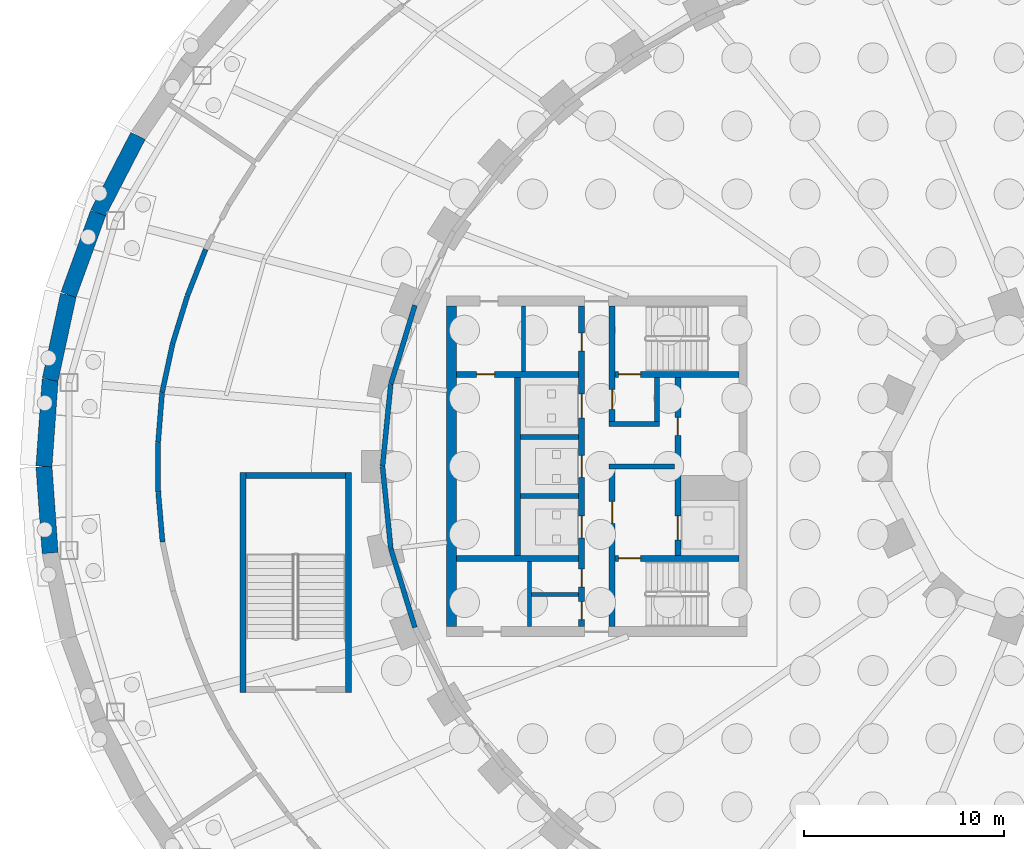
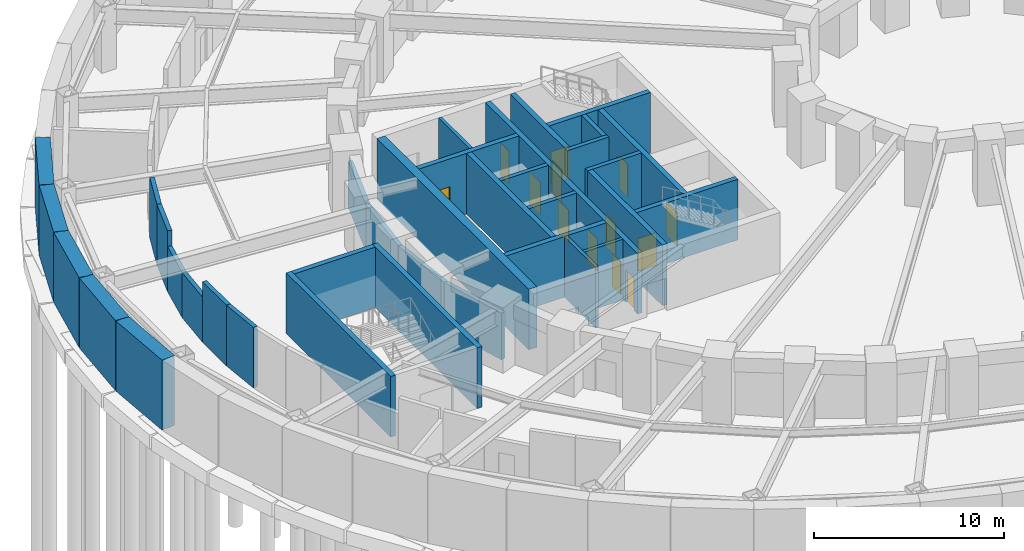
# One storey, part 11 of 19: 36 walls, 13 doors, 13 openings.
"""IFC4 building model written with IfcOpenShell, lengths in metres."""

from ifc_helpers import new_model, si_unit, direction, frame, frame_2d, origin, place, context, subcontext, project, spatial, rectangle, extrude, material, layer, layer_set, type_object, element, fill, save


model = new_model("IFC4")

# Units and contexts
model_context = context("Model", 3, precision=1e-05, world=origin(), true_north=direction((0.0, 1.0)))
body_context = subcontext(model_context, "Body", "Model", "MODEL_VIEW")
ifc_project = project(units=[si_unit("LENGTHUNIT", "METRE"), si_unit("AREAUNIT", "SQUARE_METRE"), si_unit("VOLUMEUNIT", "CUBIC_METRE"), si_unit("PLANEANGLEUNIT", "RADIAN"), si_unit("MASSUNIT", "GRAM", prefix="KILO")], contexts=[model_context])

# Site, building, storey
site_placement = place(None, origin())
site = spatial("IfcSite", under=ifc_project, at=site_placement, CompositionType="ELEMENT")
building_placement = place(site_placement, origin())
building = spatial("IfcBuilding", under=site, at=building_placement, Name="Noorbagh Ring Tower", CompositionType="ELEMENT")
storey_placement = place(building_placement, frame((0.0, 0.0, -8.39990234375)))
storey = spatial("IfcBuildingStorey", under=building, at=storey_placement, Name="B2", CompositionType="ELEMENT", Elevation=-8.39990234375)

# Walls
ifc_material_1 = material(Name="Gypsum board on steel studs", Category="steel")
ifc_layer_1 = layer(ifc_material_1, 0.199951171875)
ifc_layer_set_1 = layer_set([ifc_layer_1], Name="Gypsum board on steel studs")
wall_type_1 = type_object("IfcWallType", Name="CORE-PARTITION-200", PredefinedType="PARTITIONING", material=ifc_layer_set_1)
for number, where, z_axis, x_axis, name in (
    (1, (-27.64990234375, 4.75, 0.0), (0.0, 0.0, 1.0), (0.0, 1.0, 0.0), "Core partition W"),
    (2, (-27.35009765625, -8.0, 0.0), (0.0, 0.0, 1.0), (0.0, 1.0, 0.0), "Core partition W"),
):
    element("IfcWall", number, at=place(storey_placement, frame(where, z_axis=z_axis, x_axis=x_axis)), inside=storey, type_object=wall_type_1, Name=name, PredefinedType="PARTITIONING", context=body_context, shape_type="SweptSolid", body=[
        extrude(rectangle(XDim=3.25, YDim=0.199951171875, at=frame_2d((1.625, 0.0))), origin(), (0.0, 0.0, 1.0), 3.89990234375),
    ])
wall_1_placement = place(storey_placement, frame((-24.89990234375, -6.39990234375, 0.0), z_axis=(0.0, 0.0, 1.0), x_axis=(-1.0, 0.0, 0.0)))
element("IfcWall", 3, at=wall_1_placement, inside=storey, type_object=wall_type_1, Name="Core partition W", PredefinedType="PARTITIONING", context=body_context, shape_type="SweptSolid", body=[
    extrude(rectangle(XDim=2.35009765625, YDim=0.199951171875, at=frame_2d((1.175048828125, 0.0))), origin(), (0.0, 0.0, 1.0), 3.89990234375),
])
ifc_material_2 = material(Name="Concrete C70/85", Category="concrete")
ifc_layer_2 = layer(ifc_material_2, 0.25)
ifc_layer_set_2 = layer_set([ifc_layer_2], Name="Concrete C70/85")
wall_type_2 = type_object("IfcWallType", Name="CORE-WALL-250-C70-85-EI120", PredefinedType="SHEAR", material=ifc_layer_set_2)
for number, where, z_axis, x_axis, name in (
    (4, (-24.89990234375, -1.47509765625, 0.0), (0.0, 0.0, 1.0), (-1.0, 0.0, 0.0), "Core wall W"),
    (5, (-24.89990234375, 1.47509765625, 0.0), (0.0, 0.0, 1.0), (-1.0, 0.0, 0.0), "Core wall W"),
):
    element("IfcWall", number, at=place(storey_placement, frame(where, z_axis=z_axis, x_axis=x_axis)), inside=storey, type_object=wall_type_2, Name=name, PredefinedType="SHEAR", context=body_context, shape_type="SweptSolid", body=[
        extrude(rectangle(XDim=2.900146484375, YDim=0.25, at=frame_2d((1.4501953125, 0.0))), origin(), (0.0, 0.0, 1.0), 3.89990234375),
    ])
ifc_material_3 = material(Name="Concrete C70/85", Category="concrete")
ifc_layer_3 = layer(ifc_material_3, 0.25)
ifc_layer_set_3 = layer_set([ifc_layer_3], Name="Concrete C70/85")
wall_type_3 = type_object("IfcWallType", Name="CORE-WALL-250-C70-85-EI240", PredefinedType="SHEAR", material=ifc_layer_set_3)
wall_2_placement = place(storey_placement, frame((-20.10009765625, 0.0, 0.0), z_axis=(0.0, 0.0, 1.0), x_axis=(-1.0, 0.0, 0.0)))
element("IfcWall", 6, at=wall_2_placement, inside=storey, type_object=wall_type_3, Name="Core wall W", PredefinedType="SHEAR", context=body_context, shape_type="SweptSolid", body=[
    extrude(rectangle(XDim=3.27978515625, YDim=0.25, at=frame_2d((1.639892578125, 0.0))), origin(), (0.0, 0.0, 1.0), 3.89990234375),
])
wall_3_placement = place(storey_placement, frame((-20.85009765625, 2.125, 0.0), z_axis=(0.0, 0.0, 1.0), x_axis=(-1.0, 0.0, 0.0)))
element("IfcWall", 7, at=wall_3_placement, inside=storey, type_object=wall_type_3, Name="Core wall W", PredefinedType="SHEAR", context=body_context, shape_type="SweptSolid", body=[
    extrude(rectangle(XDim=2.52978515625, YDim=0.25, at=frame_2d((1.264892578125, 0.0))), origin(), (0.0, 0.0, 1.0), 3.89990234375),
])
wall_4_placement = place(storey_placement, frame((-20.97509765625, 2.25, 0.0), z_axis=(0.0, 0.0, 1.0), x_axis=(0.0, 1.0, 0.0)))
element("IfcWall", 8, at=wall_4_placement, inside=storey, type_object=wall_type_3, Name="Core wall W", PredefinedType="SHEAR", context=body_context, shape_type="SweptSolid", body=[
    extrude(rectangle(XDim=2.199951171875, YDim=0.25, at=frame_2d((1.10009765625, 0.0))), origin(), (0.0, 0.0, 1.0), 3.89990234375),
])
ifc_material_4 = material(Name="Concrete C70/85", Category="concrete")
ifc_layer_4 = layer(ifc_material_4, 0.300048828125)
ifc_layer_set_4 = layer_set([ifc_layer_4], Name="Concrete C70/85")
wall_type_4 = type_object("IfcWallType", Name="CORE-WALL-300-C70-85-EI120", PredefinedType="SHEAR", material=ifc_layer_set_4)
wall_5_placement = place(storey_placement, frame((-27.949951171875, -4.449951171875, 0.0), z_axis=(0.0, 0.0, 1.0), x_axis=(0.0, 1.0, 0.0)))
element("IfcWall", 9, at=wall_5_placement, inside=storey, type_object=wall_type_4, Name="Core wall W", PredefinedType="SHEAR", context=body_context, shape_type="SweptSolid", body=[
    extrude(rectangle(XDim=8.89990234375, YDim=0.300048828125, at=frame_2d((4.449951171875, 0.0))), origin(), (0.0, 0.0, 1.0), 3.89990234375),
])

# Wall, openings, doors
wall_6_placement = place(storey_placement, frame((-19.949951171875, -4.449951171875, 0.0), z_axis=(0.0, 0.0, 1.0), x_axis=(0.0, 1.0, 0.0)))
wall_6 = element("IfcWall", 10, at=wall_6_placement, inside=storey, type_object=wall_type_4, Name="Core wall W", PredefinedType="SHEAR", context=body_context, shape_type="SweptSolid", body=[
    extrude(rectangle(XDim=8.89990234375, YDim=0.300048828125, at=frame_2d((4.449951171875, 0.0))), origin(), (0.0, 0.0, 1.0), 3.89990234375),
])
opening_1_placement = place(wall_6_placement, frame((0.77490234375, 0.0, 0.0)))
opening_1 = element("IfcOpeningElement", 11, at=opening_1_placement, cuts=wall_6, Name="Opening B2-CW01", PredefinedType="OPENING", context=body_context, shape_type="SweptSolid", body=[
    extrude(rectangle(XDim=1.199951171875, YDim=2.10009765625, at=frame_2d((0.60009765625, 1.050048828125))), frame((0.0, 0.16015625, 0.0), z_axis=(0.0, -1.0, 0.0), x_axis=(1.0, 0.0, 0.0)), (0.0, 0.0, 1.0), 0.320068359375),
])
opening_2_placement = place(wall_6_placement, frame((6.0, 0.0, 0.0)))
opening_2 = element("IfcOpeningElement", 12, at=opening_2_placement, cuts=wall_6, Name="Opening B2-CW11", PredefinedType="OPENING", context=body_context, shape_type="SweptSolid", body=[
    extrude(rectangle(XDim=0.89990234375, YDim=2.10009765625, at=frame_2d((0.449951171875, 1.050048828125))), frame((0.0, 0.16015625, 0.0), z_axis=(0.0, -1.0, 0.0), x_axis=(1.0, 0.0, 0.0)), (0.0, 0.0, 1.0), 0.320068359375),
])
ifc_material_5 = material(Name="Steel door leaf", Category="steel")
door_type_1 = type_object("IfcDoorType", Name="CORE-DOOR-DROOM", OperationType="SINGLE_SWING_LEFT", PredefinedType="DOOR", material=ifc_material_5)
door_1_placement = place(opening_2_placement, origin())
door_1 = element("IfcDoor", 13, at=door_1_placement, inside=storey, type_object=door_type_1, Name="Core room door B2-CW11", OperationType="SINGLE_SWING_LEFT", OverallHeight=2.10009765625, OverallWidth=0.89990234375, PredefinedType="DOOR", context=body_context, shape_type="SweptSolid", body=[
    extrude(rectangle(XDim=0.89990234375, YDim=2.10009765625, at=frame_2d((0.449951171875, 1.050048828125))), frame((0.0, 0.02490234375, 0.0), z_axis=(0.0, -1.0, 0.0), x_axis=(1.0, 0.0, 0.0)), (0.0, 0.0, 1.0), 0.050048828125),
])
fill(opening_2, door_1)
ifc_material_6 = material(Name="Steel door leaf", Category="steel")
door_type_2 = type_object("IfcDoorType", Name="CORE-DOOR-LDW", OperationType="DOUBLE_DOOR_SLIDING", PredefinedType="DOOR", material=ifc_material_6)
door_2_placement = place(opening_1_placement, origin())
door_2 = element("IfcDoor", 14, at=door_2_placement, inside=storey, type_object=door_type_2, Name="Landing door FF1 B2-CW01", OperationType="DOUBLE_DOOR_SLIDING", OverallHeight=2.10009765625, OverallWidth=1.199951171875, PredefinedType="DOOR", context=body_context, shape_type="SweptSolid", body=[
    extrude(rectangle(XDim=1.199951171875, YDim=2.10009765625, at=frame_2d((0.60009765625, 1.050048828125))), frame((0.0, 0.02490234375, 0.0), z_axis=(0.0, -1.0, 0.0), x_axis=(1.0, 0.0, 0.0)), (0.0, 0.0, 1.0), 0.050048828125),
])
fill(opening_1, door_2)

wall_7_placement = place(storey_placement, frame((-24.75, -8.0, 0.0), z_axis=(0.0, 0.0, 1.0), x_axis=(0.0, 1.0, 0.0)))
wall_7 = element("IfcWall", 15, at=wall_7_placement, inside=storey, type_object=wall_type_4, Name="Core wall W", PredefinedType="SHEAR", context=body_context, shape_type="SweptSolid", body=[
    extrude(rectangle(XDim=16.0, YDim=0.300048828125, at=frame_2d((8.0, 0.0))), origin(), (0.0, 0.0, 1.0), 3.89990234375),
])
opening_3_placement = place(wall_7_placement, frame((4.425048828125, 0.0, 0.0)))
opening_3 = element("IfcOpeningElement", 16, at=opening_3_placement, cuts=wall_7, Name="Opening B2-CW02", PredefinedType="OPENING", context=body_context, shape_type="SweptSolid", body=[
    extrude(rectangle(XDim=1.10009765625, YDim=2.10009765625, at=frame_2d((0.550048828125, 1.050048828125))), frame((0.0, 0.16015625, 0.0), z_axis=(0.0, -1.0, 0.0), x_axis=(1.0, 0.0, 0.0)), (0.0, 0.0, 1.0), 0.320068359375),
])
opening_4_placement = place(wall_7_placement, frame((7.449951171875, 0.0, 0.0)))
opening_4 = element("IfcOpeningElement", 17, at=opening_4_placement, cuts=wall_7, Name="Opening B2-CW03", PredefinedType="OPENING", context=body_context, shape_type="SweptSolid", body=[
    extrude(rectangle(XDim=1.10009765625, YDim=2.10009765625, at=frame_2d((0.550048828125, 1.050048828125))), frame((0.0, 0.16015625, 0.0), z_axis=(0.0, -1.0, 0.0), x_axis=(1.0, 0.0, 0.0)), (0.0, 0.0, 1.0), 0.320068359375),
])
opening_5_placement = place(wall_7_placement, frame((10.425048828125, 0.0, 0.0)))
opening_5 = element("IfcOpeningElement", 18, at=opening_5_placement, cuts=wall_7, Name="Opening B2-CW04", PredefinedType="OPENING", context=body_context, shape_type="SweptSolid", body=[
    extrude(rectangle(XDim=1.199951171875, YDim=2.10009765625, at=frame_2d((0.60009765625, 1.050048828125))), frame((0.0, 0.16015625, 0.0), z_axis=(0.0, -1.0, 0.0), x_axis=(1.0, 0.0, 0.0)), (0.0, 0.0, 1.0), 0.320068359375),
])
opening_6_placement = place(wall_7_placement, frame((13.75, 0.0, 0.0)))
opening_6 = element("IfcOpeningElement", 19, at=opening_6_placement, cuts=wall_7, Name="Opening B2-CW12", PredefinedType="OPENING", context=body_context, shape_type="SweptSolid", body=[
    extrude(rectangle(XDim=0.89990234375, YDim=2.10009765625, at=frame_2d((0.449951171875, 1.050048828125))), frame((0.0, 0.16015625, 0.0), z_axis=(0.0, -1.0, 0.0), x_axis=(1.0, 0.0, 0.0)), (0.0, 0.0, 1.0), 0.320068359375),
])
opening_7_placement = place(wall_7_placement, frame((1.97509765625, 0.0, 0.0)))
opening_7 = element("IfcOpeningElement", 20, at=opening_7_placement, cuts=wall_7, Name="Opening B2-CW14", PredefinedType="OPENING", context=body_context, shape_type="SweptSolid", body=[
    extrude(rectangle(XDim=0.89990234375, YDim=2.10009765625, at=frame_2d((0.449951171875, 1.050048828125))), frame((0.0, 0.16015625, 0.0), z_axis=(0.0, -1.0, 0.0), x_axis=(1.0, 0.0, 0.0)), (0.0, 0.0, 1.0), 0.320068359375),
])
opening_8_placement = place(wall_7_placement, frame((0.35009765625, 0.0, 0.0)))
opening_8 = element("IfcOpeningElement", 21, at=opening_8_placement, cuts=wall_7, Name="Opening B2-CW15", PredefinedType="OPENING", context=body_context, shape_type="SweptSolid", body=[
    extrude(rectangle(XDim=0.89990234375, YDim=2.10009765625, at=frame_2d((0.449951171875, 1.050048828125))), frame((0.0, 0.16015625, 0.0), z_axis=(0.0, -1.0, 0.0), x_axis=(1.0, 0.0, 0.0)), (0.0, 0.0, 1.0), 0.320068359375),
])
door_3_placement = place(opening_6_placement, origin())
door_3 = element("IfcDoor", 22, at=door_3_placement, inside=storey, type_object=door_type_1, Name="Core room door B2-CW12", OperationType="SINGLE_SWING_RIGHT", OverallHeight=2.10009765625, OverallWidth=0.89990234375, PredefinedType="DOOR", context=body_context, shape_type="SweptSolid", body=[
    extrude(rectangle(XDim=0.89990234375, YDim=2.10009765625, at=frame_2d((0.449951171875, 1.050048828125))), frame((0.0, 0.02490234375, 0.0), z_axis=(0.0, -1.0, 0.0), x_axis=(1.0, 0.0, 0.0)), (0.0, 0.0, 1.0), 0.050048828125),
])
fill(opening_6, door_3)
door_4_placement = place(opening_7_placement, origin())
door_4 = element("IfcDoor", 23, at=door_4_placement, inside=storey, type_object=door_type_1, Name="Core room door B2-CW14", OperationType="SINGLE_SWING_RIGHT", OverallHeight=2.10009765625, OverallWidth=0.89990234375, PredefinedType="DOOR", context=body_context, shape_type="SweptSolid", body=[
    extrude(rectangle(XDim=0.89990234375, YDim=2.10009765625, at=frame_2d((0.449951171875, 1.050048828125))), frame((0.0, 0.02490234375, 0.0), z_axis=(0.0, -1.0, 0.0), x_axis=(1.0, 0.0, 0.0)), (0.0, 0.0, 1.0), 0.050048828125),
])
fill(opening_7, door_4)
door_5_placement = place(opening_8_placement, origin())
door_5 = element("IfcDoor", 24, at=door_5_placement, inside=storey, type_object=door_type_1, Name="Core room door B2-CW15", OperationType="SINGLE_SWING_LEFT", OverallHeight=2.10009765625, OverallWidth=0.89990234375, PredefinedType="DOOR", context=body_context, shape_type="SweptSolid", body=[
    extrude(rectangle(XDim=0.89990234375, YDim=2.10009765625, at=frame_2d((0.449951171875, 1.050048828125))), frame((0.0, 0.02490234375, 0.0), z_axis=(0.0, -1.0, 0.0), x_axis=(1.0, 0.0, 0.0)), (0.0, 0.0, 1.0), 0.050048828125),
])
fill(opening_8, door_5)
ifc_material_7 = material(Name="Steel door leaf", Category="steel")
door_type_3 = type_object("IfcDoorType", Name="CORE-DOOR-LD", OperationType="DOUBLE_DOOR_SLIDING", PredefinedType="DOOR", material=ifc_material_7)
door_6_placement = place(opening_3_placement, origin())
door_6 = element("IfcDoor", 25, at=door_6_placement, inside=storey, type_object=door_type_3, Name="Landing door LR1 B2-CW02", OperationType="DOUBLE_DOOR_SLIDING", OverallHeight=2.10009765625, OverallWidth=1.10009765625, PredefinedType="DOOR", context=body_context, shape_type="SweptSolid", body=[
    extrude(rectangle(XDim=1.10009765625, YDim=2.10009765625, at=frame_2d((0.550048828125, 1.050048828125))), frame((0.0, 0.02490234375, 0.0), z_axis=(0.0, -1.0, 0.0), x_axis=(1.0, 0.0, 0.0)), (0.0, 0.0, 1.0), 0.050048828125),
])
fill(opening_3, door_6)
door_7_placement = place(opening_4_placement, origin())
door_7 = element("IfcDoor", 26, at=door_7_placement, inside=storey, type_object=door_type_3, Name="Landing door LR2 B2-CW03", OperationType="DOUBLE_DOOR_SLIDING", OverallHeight=2.10009765625, OverallWidth=1.10009765625, PredefinedType="DOOR", context=body_context, shape_type="SweptSolid", body=[
    extrude(rectangle(XDim=1.10009765625, YDim=2.10009765625, at=frame_2d((0.550048828125, 1.050048828125))), frame((0.0, 0.02490234375, 0.0), z_axis=(0.0, -1.0, 0.0), x_axis=(1.0, 0.0, 0.0)), (0.0, 0.0, 1.0), 0.050048828125),
])
fill(opening_4, door_7)
door_8_placement = place(opening_5_placement, origin())
door_8 = element("IfcDoor", 27, at=door_8_placement, inside=storey, type_object=door_type_2, Name="Landing door SV1 B2-CW04", OperationType="DOUBLE_DOOR_SLIDING", OverallHeight=2.10009765625, OverallWidth=1.199951171875, PredefinedType="DOOR", context=body_context, shape_type="SweptSolid", body=[
    extrude(rectangle(XDim=1.199951171875, YDim=2.10009765625, at=frame_2d((0.60009765625, 1.050048828125))), frame((0.0, 0.02490234375, 0.0), z_axis=(0.0, -1.0, 0.0), x_axis=(1.0, 0.0, 0.0)), (0.0, 0.0, 1.0), 0.050048828125),
])
fill(opening_5, door_8)

# Wall, opening, door
ifc_material_8 = material(Name="Concrete C70/85", Category="concrete")
ifc_layer_5 = layer(ifc_material_8, 0.300048828125)
ifc_layer_set_5 = layer_set([ifc_layer_5], Name="Concrete C70/85")
wall_type_5 = type_object("IfcWallType", Name="CORE-WALL-300-C70-85-EI240", PredefinedType="SHEAR", material=ifc_layer_set_5)
wall_8_placement = place(storey_placement, frame((-24.89990234375, 4.60009765625, 0.0), z_axis=(0.0, 0.0, 1.0), x_axis=(-1.0, 0.0, 0.0)))
wall_8 = element("IfcWall", 28, at=wall_8_placement, inside=storey, type_object=wall_type_5, Name="Core wall W", PredefinedType="SHEAR", context=body_context, shape_type="SweptSolid", body=[
    extrude(rectangle(XDim=6.10009765625, YDim=0.300048828125, at=frame_2d((3.050048828125, 0.0))), origin(), (0.0, 0.0, 1.0), 3.89990234375),
])
opening_9_placement = place(wall_8_placement, frame((4.199951171875, 0.0, 0.0)))
opening_9 = element("IfcOpeningElement", 29, at=opening_9_placement, cuts=wall_8, Name="Opening B2-CW17", PredefinedType="OPENING", context=body_context, shape_type="SweptSolid", body=[
    extrude(rectangle(XDim=0.89990234375, YDim=2.10009765625, at=frame_2d((0.449951171875, 1.050048828125))), frame((0.0, 0.16015625, 0.0), z_axis=(0.0, -1.0, 0.0), x_axis=(1.0, 0.0, 0.0)), (0.0, 0.0, 1.0), 0.320068359375),
])
door_9_placement = place(opening_9_placement, origin())
door_9 = element("IfcDoor", 30, at=door_9_placement, inside=storey, type_object=door_type_1, Name="Core room door B2-CW17", OperationType="SINGLE_SWING_LEFT", OverallHeight=2.10009765625, OverallWidth=0.89990234375, PredefinedType="DOOR", context=body_context, shape_type="SweptSolid", body=[
    extrude(rectangle(XDim=0.89990234375, YDim=2.10009765625, at=frame_2d((0.449951171875, 1.050048828125))), frame((0.0, 0.02490234375, 0.0), z_axis=(0.0, -1.0, 0.0), x_axis=(1.0, 0.0, 0.0)), (0.0, 0.0, 1.0), 0.050048828125),
])
fill(opening_9, door_9)

# Wall
wall_9_placement = place(storey_placement, frame((-24.89990234375, -4.60009765625, 0.0), z_axis=(0.0, 0.0, 1.0), x_axis=(-1.0, 0.0, 0.0)))
element("IfcWall", 31, at=wall_9_placement, inside=storey, type_object=wall_type_5, Name="Core wall W", PredefinedType="SHEAR", context=body_context, shape_type="SweptSolid", body=[
    extrude(rectangle(XDim=6.10009765625, YDim=0.300048828125, at=frame_2d((3.050048828125, 0.0))), origin(), (0.0, 0.0, 1.0), 3.89990234375),
])

# Wall, opening, door
wall_10_placement = place(storey_placement, frame((-23.22998046875, 2.25, 0.0), z_axis=(0.0, 0.0, 1.0), x_axis=(0.0, 1.0, 0.0)))
wall_10 = element("IfcWall", 32, at=wall_10_placement, inside=storey, type_object=wall_type_5, Name="Core wall W", PredefinedType="SHEAR", context=body_context, shape_type="SweptSolid", body=[
    extrude(rectangle(XDim=5.75, YDim=0.300048828125, at=frame_2d((2.875, 0.0))), origin(), (0.0, 0.0, 1.0), 3.89990234375),
])
opening_10_placement = place(wall_10_placement, frame((0.60009765625, 0.0, 0.0)))
opening_10 = element("IfcOpeningElement", 33, at=opening_10_placement, cuts=wall_10, Name="Opening B2-CW08", PredefinedType="OPENING", context=body_context, shape_type="SweptSolid", body=[
    extrude(rectangle(XDim=1.0, YDim=2.10009765625, at=frame_2d((0.5, 1.050048828125))), frame((0.0, 0.16015625, 0.0), z_axis=(0.0, -1.0, 0.0), x_axis=(1.0, 0.0, 0.0)), (0.0, 0.0, 1.0), 0.320068359375),
])
ifc_material_9 = material(Name="Steel door leaf", Category="steel")
door_type_4 = type_object("IfcDoorType", Name="CORE-DOOR-DVEST", OperationType="SINGLE_SWING_LEFT", PredefinedType="DOOR", material=ifc_material_9)
door_10_placement = place(opening_10_placement, origin())
door_10 = element("IfcDoor", 34, at=door_10_placement, inside=storey, type_object=door_type_4, Name="Stair vestibule door B2-CW08", OperationType="SINGLE_SWING_LEFT", OverallHeight=2.10009765625, OverallWidth=1.0, PredefinedType="DOOR", context=body_context, shape_type="SweptSolid", body=[
    extrude(rectangle(XDim=1.0, YDim=2.10009765625, at=frame_2d((0.5, 1.050048828125))), frame((0.0, 0.02490234375, 0.0), z_axis=(0.0, -1.0, 0.0), x_axis=(1.0, 0.0, 0.0)), (0.0, 0.0, 1.0), 0.050048828125),
])
fill(opening_10, door_10)

wall_11_placement = place(storey_placement, frame((-23.22998046875, -8.0, 0.0), z_axis=(0.0, 0.0, 1.0), x_axis=(0.0, 1.0, 0.0)))
wall_11 = element("IfcWall", 35, at=wall_11_placement, inside=storey, type_object=wall_type_5, Name="Core wall W", PredefinedType="SHEAR", context=body_context, shape_type="SweptSolid", body=[
    extrude(rectangle(XDim=7.875, YDim=0.300048828125, at=frame_2d((3.9375, 0.0))), origin(), (0.0, 0.0, 1.0), 3.89990234375),
])
opening_11_placement = place(wall_11_placement, frame((5.14990234375, 0.0, 0.0)))
opening_11 = element("IfcOpeningElement", 36, at=opening_11_placement, cuts=wall_11, Name="Opening B2-CW07", PredefinedType="OPENING", context=body_context, shape_type="SweptSolid", body=[
    extrude(rectangle(XDim=1.10009765625, YDim=2.10009765625, at=frame_2d((0.550048828125, 1.050048828125))), frame((0.0, 0.16015625, 0.0), z_axis=(0.0, -1.0, 0.0), x_axis=(1.0, 0.0, 0.0)), (0.0, 0.0, 1.0), 0.320068359375),
])
ifc_material_10 = material(Name="Steel door leaf", Category="steel")
door_type_5 = type_object("IfcDoorType", Name="CORE-DOOR-DFF", OperationType="SINGLE_SWING_LEFT", PredefinedType="DOOR", material=ifc_material_10)
door_11_placement = place(opening_11_placement, origin())
door_11 = element("IfcDoor", 37, at=door_11_placement, inside=storey, type_object=door_type_5, Name="Firefighting lobby door B2-CW07", OperationType="SINGLE_SWING_LEFT", OverallHeight=2.10009765625, OverallWidth=1.10009765625, PredefinedType="DOOR", context=body_context, shape_type="SweptSolid", body=[
    extrude(rectangle(XDim=1.10009765625, YDim=2.10009765625, at=frame_2d((0.550048828125, 1.050048828125))), frame((0.0, 0.02490234375, 0.0), z_axis=(0.0, -1.0, 0.0), x_axis=(1.0, 0.0, 0.0)), (0.0, 0.0, 1.0), 0.050048828125),
])
fill(opening_11, door_11)

wall_12_placement = place(storey_placement, frame((-16.89990234375, 4.60009765625, 0.0), z_axis=(0.0, 0.0, 1.0), x_axis=(-1.0, 0.0, 0.0)))
wall_12 = element("IfcWall", 38, at=wall_12_placement, inside=storey, type_object=wall_type_5, Name="Core wall W", PredefinedType="SHEAR", context=body_context, shape_type="SweptSolid", body=[
    extrude(rectangle(XDim=6.18017578125, YDim=0.300048828125, at=frame_2d((3.090087890625, 0.0))), origin(), (0.0, 0.0, 1.0), 3.89990234375),
])
opening_12_placement = place(wall_12_placement, frame((4.89990234375, 0.0, 0.0)))
opening_12 = element("IfcOpeningElement", 39, at=opening_12_placement, cuts=wall_12, Name="Opening B2-CW05", PredefinedType="OPENING", context=body_context, shape_type="SweptSolid", body=[
    extrude(rectangle(XDim=1.10009765625, YDim=2.10009765625, at=frame_2d((0.550048828125, 1.050048828125))), frame((0.0, 0.16015625, 0.0), z_axis=(0.0, -1.0, 0.0), x_axis=(1.0, 0.0, 0.0)), (0.0, 0.0, 1.0), 0.320068359375),
])
ifc_material_11 = material(Name="Steel door leaf", Category="steel")
door_type_6 = type_object("IfcDoorType", Name="CORE-DOOR-DSTAIR", OperationType="SINGLE_SWING_LEFT", PredefinedType="DOOR", material=ifc_material_11)
door_12_placement = place(opening_12_placement, origin())
door_12 = element("IfcDoor", 40, at=door_12_placement, inside=storey, type_object=door_type_6, Name="Stair door ST1 B2-CW05", OperationType="SINGLE_SWING_RIGHT", OverallHeight=2.10009765625, OverallWidth=1.10009765625, PredefinedType="DOOR", context=body_context, shape_type="SweptSolid", body=[
    extrude(rectangle(XDim=1.10009765625, YDim=2.10009765625, at=frame_2d((0.550048828125, 1.050048828125))), frame((0.0, 0.02490234375, 0.0), z_axis=(0.0, -1.0, 0.0), x_axis=(1.0, 0.0, 0.0)), (0.0, 0.0, 1.0), 0.050048828125),
])
fill(opening_12, door_12)

wall_13_placement = place(storey_placement, frame((-16.89990234375, -4.60009765625, 0.0), z_axis=(0.0, 0.0, 1.0), x_axis=(-1.0, 0.0, 0.0)))
wall_13 = element("IfcWall", 41, at=wall_13_placement, inside=storey, type_object=wall_type_5, Name="Core wall W", PredefinedType="SHEAR", context=body_context, shape_type="SweptSolid", body=[
    extrude(rectangle(XDim=6.18017578125, YDim=0.300048828125, at=frame_2d((3.090087890625, 0.0))), origin(), (0.0, 0.0, 1.0), 3.89990234375),
])
opening_13_placement = place(wall_13_placement, frame((4.89990234375, 0.0, 0.0)))
opening_13 = element("IfcOpeningElement", 42, at=opening_13_placement, cuts=wall_13, Name="Opening B2-CW06", PredefinedType="OPENING", context=body_context, shape_type="SweptSolid", body=[
    extrude(rectangle(XDim=1.10009765625, YDim=2.10009765625, at=frame_2d((0.550048828125, 1.050048828125))), frame((0.0, 0.16015625, 0.0), z_axis=(0.0, -1.0, 0.0), x_axis=(1.0, 0.0, 0.0)), (0.0, 0.0, 1.0), 0.320068359375),
])
door_13_placement = place(opening_13_placement, origin())
door_13 = element("IfcDoor", 43, at=door_13_placement, inside=storey, type_object=door_type_6, Name="Stair door ST2 B2-CW06", OperationType="SINGLE_SWING_LEFT", OverallHeight=2.10009765625, OverallWidth=1.10009765625, PredefinedType="DOOR", context=body_context, shape_type="SweptSolid", body=[
    extrude(rectangle(XDim=1.10009765625, YDim=2.10009765625, at=frame_2d((0.550048828125, 1.050048828125))), frame((0.0, 0.02490234375, 0.0), z_axis=(0.0, -1.0, 0.0), x_axis=(1.0, 0.0, 0.0)), (0.0, 0.0, 1.0), 0.050048828125),
])
fill(opening_13, door_13)

# Walls
ifc_material_12 = material(Name="Concrete C70/85", Category="concrete")
ifc_layer_6 = layer(ifc_material_12, 0.5)
ifc_layer_set_6 = layer_set([ifc_layer_6], Name="Concrete C70/85")
wall_type_6 = type_object("IfcWallType", Name="CORE-WALL-500-C70-85-EI240", PredefinedType="SHEAR", material=ifc_layer_set_6)
wall_14_placement = place(storey_placement, frame((-31.25, -8.0, 0.0), z_axis=(0.0, 0.0, 1.0), x_axis=(0.0, 1.0, 0.0)))
element("IfcWall", 44, at=wall_14_placement, inside=storey, type_object=wall_type_6, Name="Core wall W", PredefinedType="SHEAR", context=body_context, shape_type="SweptSolid", body=[
    extrude(rectangle(XDim=16.0, YDim=0.5, at=frame_2d((8.0, 0.0))), origin(), (0.0, 0.0, 1.0), 3.89990234375),
])
ifc_material_13 = material(Name="Concrete C60/75", Category="concrete")
ifc_layer_7 = layer(ifc_material_13, 0.300048828125)
ifc_layer_set_7 = layer_set([ifc_layer_7], Name="Concrete C60/75")
wall_type_7 = type_object("IfcWallType", Name="GND-STAIR-WALL", PredefinedType="SHEAR", material=ifc_layer_set_7)
for number, where, z_axis, x_axis, name in (
    (45, (-41.64990234375, -11.300048828125, 0.0), (0.0, 0.0, 1.0), (0.0, 1.0, 0.0), "Exit stair ST-P1 wall"),
    (46, (-36.39990234375, -11.300048828125, 0.0), (0.0, 0.0, 1.0), (0.0, 1.0, 0.0), "Exit stair ST-P1 wall"),
):
    element("IfcWall", number, at=place(storey_placement, frame(where, z_axis=z_axis, x_axis=x_axis)), inside=storey, type_object=wall_type_7, Name=name, PredefinedType="SHEAR", context=body_context, shape_type="SweptSolid", body=[
        extrude(rectangle(XDim=11.0, YDim=0.300048828125, at=frame_2d((5.5, 0.0))), origin(), (0.0, 0.0, 1.0), 3.89990234375),
    ])
wall_15_placement = place(storey_placement, frame((-41.5, -0.449951171875, 0.0), z_axis=(0.0, 0.0, 1.0), x_axis=(1.0, 0.0, 0.0)))
element("IfcWall", 47, at=wall_15_placement, inside=storey, type_object=wall_type_7, Name="Exit stair ST-P1 wall", PredefinedType="SHEAR", context=body_context, shape_type="SweptSolid", body=[
    extrude(rectangle(XDim=4.949951171875, YDim=0.300048828125, at=frame_2d((2.47509765625, 0.0))), origin(), (0.0, 0.0, 1.0), 3.89990234375),
])
ifc_material_14 = material(Name="Concrete C40/50", Category="concrete")
ifc_layer_8 = layer(ifc_material_14, 0.25)
ifc_layer_set_8 = layer_set([ifc_layer_8], Name="Concrete C40/50")
wall_type_8 = type_object("IfcWallType", Name="GND-WALL-250", PredefinedType="SOLIDWALL", material=ifc_layer_set_8)
wall_16_placement = place(storey_placement, frame((-43.527099609375, 10.8349609375, 0.0), z_axis=(0.0, 0.0, 1.0), x_axis=(-0.36529640151, -0.930891260591, 0.0)))
element("IfcWall", 48, at=wall_16_placement, inside=storey, type_object=wall_type_8, Name="Fire water tank room", PredefinedType="SOLIDWALL", context=body_context, shape_type="SweptSolid", body=[
    extrude(rectangle(XDim=2.48291015625, YDim=0.25, at=frame_2d((1.241455078125, 0.0))), origin(), (0.0, 0.0, 1.0), 3.89990234375),
])
wall_17_placement = place(storey_placement, frame((-44.438720703125, 8.510498046875, 0.0), z_axis=(0.0, 0.0, 1.0), x_axis=(-0.294770463332, -0.955568089645, 0.0)))
element("IfcWall", 49, at=wall_17_placement, inside=storey, type_object=wall_type_8, Name="Fire water tank room", PredefinedType="SOLIDWALL", context=body_context, shape_type="SweptSolid", body=[
    extrude(rectangle(XDim=2.48046875, YDim=0.25, at=frame_2d((1.240234375, 0.0))), origin(), (0.0, 0.0, 1.0), 3.89990234375),
])
wall_18_placement = place(storey_placement, frame((-45.173583984375, 6.126708984375, 0.0), z_axis=(0.0, 0.0, 1.0), x_axis=(-0.210541637955, -0.977584890783, 0.0)))
element("IfcWall", 50, at=wall_18_placement, inside=storey, type_object=wall_type_8, Name="Fire water tank room", PredefinedType="SOLIDWALL", context=body_context, shape_type="SweptSolid", body=[
    extrude(rectangle(XDim=2.486083984375, YDim=0.25, at=frame_2d((1.2431640625, 0.0))), origin(), (0.0, 0.0, 1.0), 2.89990234375),
])
wall_19_placement = place(storey_placement, frame((-45.69921875, 3.6826171875, 0.0), z_axis=(0.0, 0.0, 1.0), x_axis=(-0.080182633504, -0.996780189051, 0.0)))
element("IfcWall", 51, at=wall_19_placement, inside=storey, type_object=wall_type_8, Name="Fire water tank room", PredefinedType="SOLIDWALL", context=body_context, shape_type="SweptSolid", body=[
    extrude(rectangle(XDim=2.484619140625, YDim=0.25, at=frame_2d((1.2421875, 0.0))), origin(), (0.0, 0.0, 1.0), 2.89990234375),
])
wall_20_placement = place(storey_placement, frame((-45.89892578125, 1.192138671875, 0.0), z_axis=(0.0, 0.0, 1.0), x_axis=(0.002756709029, -0.99999620027, 0.0)))
element("IfcWall", 52, at=wall_20_placement, inside=storey, type_object=wall_type_8, Name="Fire water tank room", PredefinedType="SOLIDWALL", context=body_context, shape_type="SweptSolid", body=[
    extrude(rectangle(XDim=2.479736328125, YDim=0.25, at=frame_2d((1.23974609375, 0.0))), origin(), (0.0, 0.0, 1.0), 3.89990234375),
])
wall_21_placement = place(storey_placement, frame((-45.8916015625, -1.301513671875, 0.0), z_axis=(0.0, 0.0, 1.0), x_axis=(0.085615813361, -0.996328225287, 0.0)))
element("IfcWall", 53, at=wall_21_placement, inside=storey, type_object=wall_type_8, Name="Fire water tank room", PredefinedType="SOLIDWALL", context=body_context, shape_type="SweptSolid", body=[
    extrude(rectangle(XDim=2.483642578125, YDim=0.25, at=frame_2d((1.24169921875, 0.0))), origin(), (0.0, 0.0, 1.0), 3.89990234375),
])
ifc_material_15 = material(Name="Concrete C40/50", Category="concrete")
ifc_layer_9 = layer(ifc_material_15, 0.25)
ifc_layer_set_9 = layer_set([ifc_layer_9], Name="Concrete C40/50")
wall_type_9 = type_object("IfcWallType", Name="GND-WALL-RING", PredefinedType="SOLIDWALL", material=ifc_layer_set_9)
wall_22_placement = place(storey_placement, frame((-33.075439453125, 8.045654296875, 0.0), z_axis=(0.0, 0.0, 1.0), x_axis=(-0.292171812712, -0.956365846241, 0.0)))
element("IfcWall", 54, at=wall_22_placement, inside=storey, type_object=wall_type_9, Name="Tower basement fire wall", PredefinedType="SOLIDWALL", context=body_context, shape_type="SweptSolid", body=[
    extrude(rectangle(XDim=4.115478515625, YDim=0.25, at=frame_2d((2.0576171875, 0.0))), origin(), (0.0, 0.0, 1.0), 3.0),
])
for number, where, z_axis, x_axis, name in (
    (55, (-34.281494140625, 4.09228515625, 0.0), (0.0, 0.0, 1.0), (-0.100122163244, -0.994975151663, 0.0), "Tower basement fire wall"),
    (56, (-34.6923828125, -0.009033203125, 0.0), (0.0, 0.0, 1.0), (0.100122163244, -0.994975151663, 0.0), "Tower basement fire wall"),
):
    element("IfcWall", number, at=place(storey_placement, frame(where, z_axis=z_axis, x_axis=x_axis)), inside=storey, type_object=wall_type_9, Name=name, PredefinedType="SOLIDWALL", context=body_context, shape_type="SweptSolid", body=[
        extrude(rectangle(XDim=4.103759765625, YDim=0.25, at=frame_2d((2.0517578125, 0.0))), origin(), (0.0, 0.0, 1.0), 3.0),
    ])
wall_23_placement = place(storey_placement, frame((-34.27783203125, -4.10986328125, 0.0), z_axis=(0.0, 0.0, 1.0), x_axis=(0.292171812712, -0.956365846241, 0.0)))
element("IfcWall", 57, at=wall_23_placement, inside=storey, type_object=wall_type_9, Name="Tower basement fire wall", PredefinedType="SOLIDWALL", context=body_context, shape_type="SweptSolid", body=[
    extrude(rectangle(XDim=4.115478515625, YDim=0.25, at=frame_2d((2.0576171875, 0.0))), origin(), (0.0, 0.0, 1.0), 3.0),
])
ifc_material_16 = material(Name="Concrete C40/50", Category="concrete")
ifc_layer_10 = layer(ifc_material_16, 0.800048828125)
ifc_layer_set_10 = layer_set([ifc_layer_10], Name="Concrete C40/50")
wall_type_10 = type_object("IfcWallType", Name="STR-RETAINING-WALL", PredefinedType="SOLIDWALL", material=ifc_layer_set_10)
wall_24_placement = place(storey_placement, frame((-46.89892578125, 16.50830078125, -0.300048828125), z_axis=(0.0, 0.0, 1.0), x_axis=(-0.459242531468, -0.888310923771, 0.0)))
element("IfcWall", 58, at=wall_24_placement, inside=storey, type_object=wall_type_10, Name="B2/retwall/30", PredefinedType="SOLIDWALL", context=body_context, shape_type="SweptSolid", body=[
    extrude(rectangle(XDim=4.344970703125, YDim=0.800048828125, at=frame_2d((2.17236328125, 0.0))), origin(), (0.0, 0.0, 1.0), 4.5),
])
wall_25_placement = place(storey_placement, frame((-48.894287109375, 12.648681640625, -0.300048828125), z_axis=(0.0, 0.0, 1.0), x_axis=(-0.341286990045, -0.939959142956, 0.0)))
element("IfcWall", 59, at=wall_25_placement, inside=storey, type_object=wall_type_10, Name="B2/retwall/31", PredefinedType="SOLIDWALL", context=body_context, shape_type="SweptSolid", body=[
    extrude(rectangle(XDim=4.341552734375, YDim=0.800048828125, at=frame_2d((2.1708984375, 0.0))), origin(), (0.0, 0.0, 1.0), 4.5),
])
wall_26_placement = place(storey_placement, frame((-50.3759765625, 8.56787109375, -0.300048828125), z_axis=(0.0, 0.0, 1.0), x_axis=(-0.210616468766, -0.977568771537, 0.0)))
element("IfcWall", 60, at=wall_26_placement, inside=storey, type_object=wall_type_10, Name="B2/retwall/32", PredefinedType="SOLIDWALL", context=body_context, shape_type="SweptSolid", body=[
    extrude(rectangle(XDim=4.3388671875, YDim=0.800048828125, at=frame_2d((2.16943359375, 0.0))), origin(), (0.0, 0.0, 1.0), 4.5),
])
for number, where, z_axis, x_axis, name in (
    (61, (-51.289794921875, 4.326416015625, -0.300048828125), (0.0, 0.0, 1.0), (-0.071315050824, -0.997453840298, 0.0), "B2/retwall/33"),
    (62, (-51.59912109375, 0.0, -0.300048828125), (0.0, 0.0, 1.0), (0.071315050824, -0.997453840298, 0.0), "B2/retwall/34"),
):
    element("IfcWall", number, at=place(storey_placement, frame(where, z_axis=z_axis, x_axis=x_axis)), inside=storey, type_object=wall_type_10, Name=name, PredefinedType="SOLIDWALL", context=body_context, shape_type="SweptSolid", body=[
        extrude(rectangle(XDim=4.33740234375, YDim=0.800048828125, at=frame_2d((2.168701171875, 0.0))), origin(), (0.0, 0.0, 1.0), 4.5),
    ])

save(model, "model.ifc")
